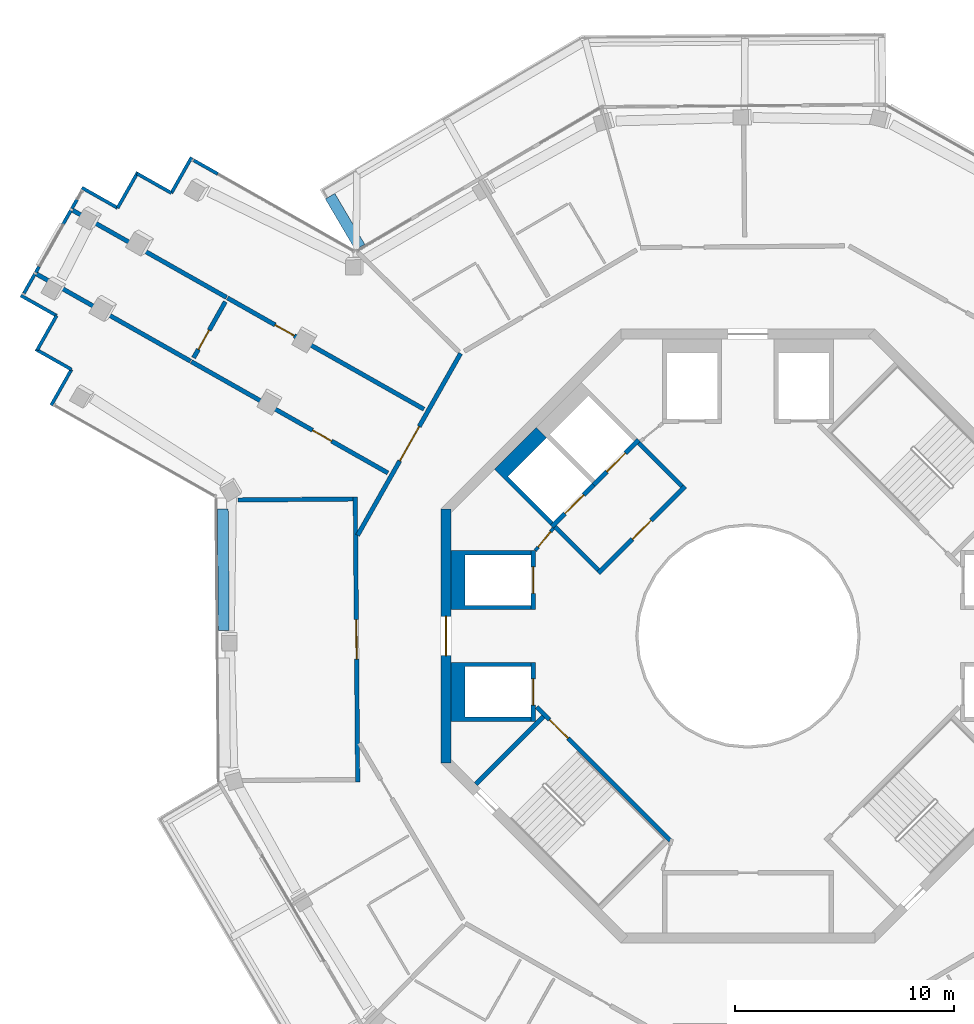
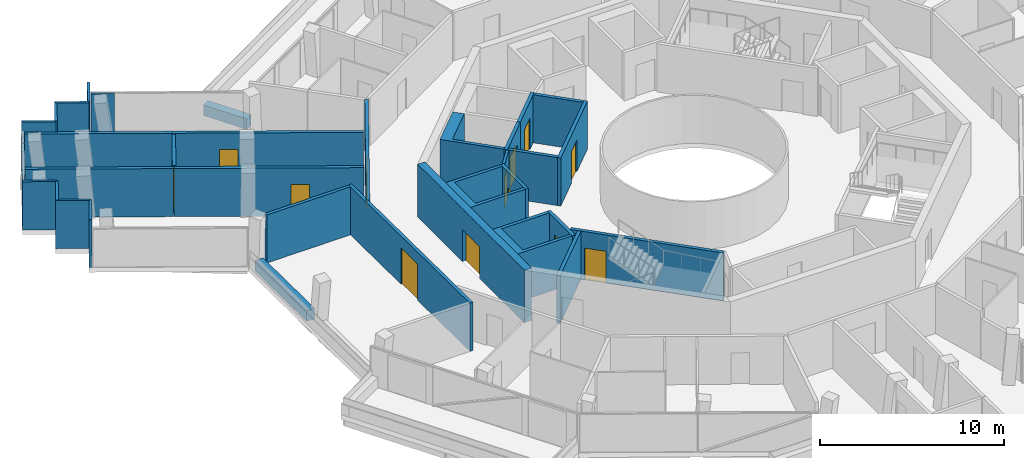
# One storey, part 20 of 26: 37 walls, 13 doors, 13 openings.
"""IFC4 building model written with IfcOpenShell, lengths in metres."""

from ifc_helpers import new_model, si_unit, direction, frame, frame_2d, origin, place, context, subcontext, project, spatial, polyline, rectangle, outline, extrude, material, layer, layer_set, type_object, element, fill, save


model = new_model("IFC4")

# Units and contexts
model_context = context("Model", 3, precision=1e-05, world=origin(), true_north=direction((0.0, 1.0)))
body_context = subcontext(model_context, "Body", "Model", "MODEL_VIEW")
ifc_project = project(units=[si_unit("LENGTHUNIT", "METRE"), si_unit("AREAUNIT", "SQUARE_METRE"), si_unit("VOLUMEUNIT", "CUBIC_METRE"), si_unit("PLANEANGLEUNIT", "RADIAN"), si_unit("MASSUNIT", "GRAM", prefix="KILO")], contexts=[model_context])

# Site, building, storey
site_placement = place(None, origin())
site = spatial("IfcSite", under=ifc_project, at=site_placement, CompositionType="ELEMENT")
building_placement = place(site_placement, origin())
building = spatial("IfcBuilding", under=site, at=building_placement, Name="Verdalira Terraces Hotel", CompositionType="ELEMENT")
storey_placement = place(building_placement, frame((0.0, 0.0, 281.0)))
storey = spatial("IfcBuildingStorey", under=building, at=storey_placement, Name="L69", CompositionType="ELEMENT", Elevation=281.0)

# Walls
ifc_material_1 = material(Name="Concrete C40", Category="concrete")
ifc_layer_1 = layer(ifc_material_1, 0.5)
ifc_layer_set_1 = layer_set([ifc_layer_1], Name="Balcony planter trough with tree")
wall_type_1 = type_object("IfcWallType", Name="Balcony planter trough with tree", PredefinedType="SOLIDWALL", material=ifc_layer_set_1)
wall_1_placement = place(storey_placement, frame((-19.060547, 20.062744, 0.0), z_axis=(0.0, 0.0, 1.0), x_axis=(0.507174285, -0.861843515, 0.0)))
element("IfcWall", 1, at=wall_1_placement, inside=storey, type_object=wall_type_1, Name="Balcony planter", PredefinedType="SOLIDWALL", context=body_context, shape_type="SweptSolid", body=[
    extrude(rectangle(XDim=2.698975, YDim=0.5, at=frame_2d((1.349609, 0.0))), origin(), (0.0, 0.0, 1.0), 0.699951),
])
ifc_material_2 = material(Name="Concrete C50", Category="concrete")
ifc_layer_2 = layer(ifc_material_2, 0.199951171875)
ifc_layer_set_2 = layer_set([ifc_layer_2], Name="Core RC wall 200 C50")
wall_type_2 = type_object("IfcWallType", Name="Core RC wall 200 C50", PredefinedType="SOLIDWALL", material=ifc_layer_set_2)
wall_2_placement = place(storey_placement, origin())
element("IfcWall", 2, at=wall_2_placement, inside=storey, type_object=wall_type_2, Name="L69 shaft wall W1", PredefinedType="SOLIDWALL", context=body_context, shape_type="SweptSolid", body=[
    extrude(outline(polyline([(-13.550049, 3.899902), (-9.899902, 3.899902), (-9.899902, 3.699951), (-12.899902, 3.699951), (-12.899902, 1.399902), (-9.899902, 1.399902), (-9.899902, 1.199951), (-13.550049, 1.199951), (-13.550049, 3.899902)])), origin(), (0.0, 0.0, 1.0), 3.189941),
])

# Wall, opening, door
wall_3_placement = place(storey_placement, frame((-9.800049, 1.199951, 0.0), z_axis=(0.0, 0.0, 1.0), x_axis=(0.0, 1.0, 0.0)))
wall_3 = element("IfcWall", 3, at=wall_3_placement, inside=storey, type_object=wall_type_2, Name="L69 shaft front wall W1", PredefinedType="SOLIDWALL", context=body_context, shape_type="SweptSolid", body=[
    extrude(rectangle(XDim=2.699951, YDim=0.199951, at=frame_2d((1.350098, 0.0))), origin(), (0.0, 0.0, 1.0), 3.189941),
])
opening_1_placement = place(wall_3_placement, frame((0.75, 0.0, 0.0)))
opening_1 = element("IfcOpeningElement", 4, at=opening_1_placement, cuts=wall_3, Name="Opening LD-L69-806", PredefinedType="OPENING", context=body_context, shape_type="SweptSolid", body=[
    extrude(rectangle(XDim=1.199951, YDim=2.100098, at=frame_2d((0.600098, 1.050049))), frame((0.0, 0.109863, 0.0), z_axis=(0.0, -1.0, 0.0), x_axis=(1.0, 0.0, 0.0)), (0.0, 0.0, 1.0), 0.219971),
])
ifc_material_3 = material(Name="Stainless steel", Category="steel")
door_type_1 = type_object("IfcDoorType", Name="Landing door 1200 x 2100", OperationType="NOTDEFINED", PredefinedType="DOOR", material=ifc_material_3)
door_1_placement = place(opening_1_placement, origin())
door_1 = element("IfcDoor", 5, at=door_1_placement, inside=storey, type_object=door_type_1, Name="Lift landing door HR5 L69", OperationType="DOUBLE_DOOR_SLIDING", OverallHeight=2.10009765625, OverallWidth=1.199951171875, PredefinedType="DOOR", context=body_context, shape_type="SweptSolid", body=[
    extrude(rectangle(XDim=1.199951, YDim=2.100098, at=frame_2d((0.600098, 1.050049))), frame((0.0, 0.024902, 0.0), z_axis=(0.0, -1.0, 0.0), x_axis=(1.0, 0.0, 0.0)), (0.0, 0.0, 1.0), 0.050049),
])
fill(opening_1, door_1)

# Wall
wall_4_placement = place(storey_placement, origin())
element("IfcWall", 6, at=wall_4_placement, inside=storey, type_object=wall_type_2, Name="L69 shaft wall W2", PredefinedType="SOLIDWALL", context=body_context, shape_type="SweptSolid", body=[
    extrude(outline(polyline([(-13.550049, -3.899902), (-13.550049, -1.199951), (-9.899902, -1.199951), (-9.899902, -1.399902), (-12.899902, -1.399902), (-12.899902, -3.699951), (-9.899902, -3.699951), (-9.899902, -3.899902), (-13.550049, -3.899902)])), origin(), (0.0, 0.0, 1.0), 3.189941),
])

# Wall, opening, door
wall_5_placement = place(storey_placement, frame((-9.800049, -1.199951, 0.0), z_axis=(0.0, 0.0, 1.0), x_axis=(0.0, -1.0, 0.0)))
wall_5 = element("IfcWall", 7, at=wall_5_placement, inside=storey, type_object=wall_type_2, Name="L69 shaft front wall W2", PredefinedType="SOLIDWALL", context=body_context, shape_type="SweptSolid", body=[
    extrude(rectangle(XDim=2.699951, YDim=0.199951, at=frame_2d((1.350098, 0.0))), origin(), (0.0, 0.0, 1.0), 3.189941),
])
opening_2_placement = place(wall_5_placement, frame((0.75, 0.0, 0.0)))
opening_2 = element("IfcOpeningElement", 8, at=opening_2_placement, cuts=wall_5, Name="Opening LD-L69-807", PredefinedType="OPENING", context=body_context, shape_type="SweptSolid", body=[
    extrude(rectangle(XDim=1.199951, YDim=2.100098, at=frame_2d((0.600098, 1.050049))), frame((0.0, 0.109863, 0.0), z_axis=(0.0, -1.0, 0.0), x_axis=(1.0, 0.0, 0.0)), (0.0, 0.0, 1.0), 0.219971),
])
door_2_placement = place(opening_2_placement, origin())
door_2 = element("IfcDoor", 9, at=door_2_placement, inside=storey, type_object=door_type_1, Name="Lift landing door HR6 L69", OperationType="DOUBLE_DOOR_SLIDING", OverallHeight=2.10009765625, OverallWidth=1.199951171875, PredefinedType="DOOR", context=body_context, shape_type="SweptSolid", body=[
    extrude(rectangle(XDim=1.199951, YDim=2.100098, at=frame_2d((0.600098, 1.050049))), frame((0.0, 0.024902, 0.0), z_axis=(0.0, -1.0, 0.0), x_axis=(1.0, 0.0, 0.0)), (0.0, 0.0, 1.0), 0.050049),
])
fill(opening_2, door_2)

wall_6_placement = place(storey_placement, frame((-4.985107, 8.944824, 0.0), z_axis=(0.0, 0.0, 1.0), x_axis=(-0.707106781, -0.707106781, 0.0)))
wall_6 = element("IfcWall", 10, at=wall_6_placement, inside=storey, type_object=wall_type_2, Name="L69 shaft front wall F1", PredefinedType="SOLIDWALL", context=body_context, shape_type="SweptSolid", body=[
    extrude(rectangle(XDim=2.899902, YDim=0.199951, at=frame_2d((1.449951, 0.0))), origin(), (0.0, 0.0, 1.0), 3.189941),
])
opening_3_placement = place(wall_6_placement, frame((0.850098, 0.0, 0.0)))
opening_3 = element("IfcOpeningElement", 11, at=opening_3_placement, cuts=wall_6, Name="Opening LD-L69-808", PredefinedType="OPENING", context=body_context, shape_type="SweptSolid", body=[
    extrude(rectangle(XDim=1.199951, YDim=2.100098, at=frame_2d((0.600098, 1.050049))), frame((0.0, 0.109863, 0.0), z_axis=(0.0, -1.0, 0.0), x_axis=(1.0, 0.0, 0.0)), (0.0, 0.0, 1.0), 0.219971),
])
door_3_placement = place(opening_3_placement, origin())
door_3 = element("IfcDoor", 12, at=door_3_placement, inside=storey, type_object=door_type_1, Name="Lift landing door LF11 L69", OperationType="DOUBLE_DOOR_SLIDING", OverallHeight=2.10009765625, OverallWidth=1.199951171875, PredefinedType="DOOR", context=body_context, shape_type="SweptSolid", body=[
    extrude(rectangle(XDim=1.199951, YDim=2.100098, at=frame_2d((0.600098, 1.050049))), frame((0.0, 0.024902, 0.0), z_axis=(0.0, -1.0, 0.0), x_axis=(1.0, 0.0, 0.0)), (0.0, 0.0, 1.0), 0.050049),
])
fill(opening_3, door_3)

# Wall
wall_7_placement = place(storey_placement, origin())
element("IfcWall", 13, at=wall_7_placement, inside=storey, type_object=wall_type_2, Name="L69 shaft wall F2", PredefinedType="SOLIDWALL", context=body_context, shape_type="SweptSolid", body=[
    extrude(outline(polyline([(-11.561279, 7.601318), (-9.6521, 9.510498), (-9.192383, 9.051025), (-10.960205, 7.283203), (-8.874268, 5.197266), (-9.015625, 5.055908), (-11.561279, 7.601318)])), origin(), (0.0, 0.0, 1.0), 3.189941),
])

# Wall, opening, door
wall_8_placement = place(storey_placement, frame((-7.035645, 6.894287, 0.0), z_axis=(0.0, 0.0, 1.0), x_axis=(-0.707106781, -0.707106781, 0.0)))
wall_8 = element("IfcWall", 14, at=wall_8_placement, inside=storey, type_object=wall_type_2, Name="L69 shaft front wall F2", PredefinedType="SOLIDWALL", context=body_context, shape_type="SweptSolid", body=[
    extrude(rectangle(XDim=2.699951, YDim=0.199951, at=frame_2d((1.350098, 0.0))), origin(), (0.0, 0.0, 1.0), 3.189941),
])
opening_4_placement = place(wall_8_placement, frame((0.649902, 0.0, 0.0)))
opening_4 = element("IfcOpeningElement", 15, at=opening_4_placement, cuts=wall_8, Name="Opening LD-L69-809", PredefinedType="OPENING", context=body_context, shape_type="SweptSolid", body=[
    extrude(rectangle(XDim=1.199951, YDim=2.100098, at=frame_2d((0.600098, 1.050049))), frame((0.0, 0.109863, 0.0), z_axis=(0.0, -1.0, 0.0), x_axis=(1.0, 0.0, 0.0)), (0.0, 0.0, 1.0), 0.219971),
])
door_4_placement = place(opening_4_placement, origin())
door_4 = element("IfcDoor", 16, at=door_4_placement, inside=storey, type_object=door_type_1, Name="Lift landing door LF12 L69", OperationType="DOUBLE_DOOR_SLIDING", OverallHeight=2.10009765625, OverallWidth=1.199951171875, PredefinedType="DOOR", context=body_context, shape_type="SweptSolid", body=[
    extrude(rectangle(XDim=1.199951, YDim=2.100098, at=frame_2d((0.600098, 1.050049))), frame((0.0, 0.024902, 0.0), z_axis=(0.0, -1.0, 0.0), x_axis=(1.0, 0.0, 0.0)), (0.0, 0.0, 1.0), 0.050049),
])
fill(opening_4, door_4)

wall_9_placement = place(storey_placement, frame((-3.5354, -9.33374, 0.0), z_axis=(0.0, 0.0, 1.0), x_axis=(-0.707120946, 0.707092617, 0.0)))
wall_9 = element("IfcWall", 17, at=wall_9_placement, inside=storey, type_object=wall_type_2, Name="L69 stair ST2 front wall", PredefinedType="SOLIDWALL", context=body_context, shape_type="SweptSolid", body=[
    extrude(rectangle(XDim=8.61792, YDim=0.199951, at=frame_2d((4.309082, 0.0))), origin(), (0.0, 0.0, 1.0), 3.189941),
])
opening_5_placement = place(wall_9_placement, frame((6.600098, 0.0, 0.0)))
opening_5 = element("IfcOpeningElement", 18, at=opening_5_placement, cuts=wall_9, Name="Opening L69-811", PredefinedType="OPENING", context=body_context, shape_type="SweptSolid", body=[
    extrude(rectangle(XDim=1.199951, YDim=2.100098, at=frame_2d((0.600098, 1.050049))), frame((0.0, 0.109863, 0.0), z_axis=(0.0, -1.0, 0.0), x_axis=(1.0, 0.0, 0.0)), (0.0, 0.0, 1.0), 0.219971),
])
ifc_material_4 = material(Name="Steel fire door", Category="steel")
door_type_2 = type_object("IfcDoorType", Name="Stair door 1200 x 2100", OperationType="NOTDEFINED", PredefinedType="DOOR", material=ifc_material_4)
door_5_placement = place(opening_5_placement, origin())
door_5 = element("IfcDoor", 19, at=door_5_placement, inside=storey, type_object=door_type_2, Name="Stair door ST2 L69", OperationType="SINGLE_SWING_RIGHT", OverallHeight=2.10009765625, OverallWidth=1.199951171875, PredefinedType="DOOR", context=body_context, shape_type="SweptSolid", body=[
    extrude(rectangle(XDim=1.199951, YDim=2.100098, at=frame_2d((0.600098, 1.050049))), frame((0.0, 0.024902, 0.0), z_axis=(0.0, -1.0, 0.0), x_axis=(1.0, 0.0, 0.0)), (0.0, 0.0, 1.0), 0.050049),
])
fill(opening_5, door_5)

# Wall
wall_10_placement = place(storey_placement, frame((-9.33374, -3.677002, 0.0), z_axis=(0.0, 0.0, 1.0), x_axis=(-0.707106781, -0.707106781, 0.0)))
element("IfcWall", 20, at=wall_10_placement, inside=storey, type_object=wall_type_2, Name="L69 stair ST2 end wall 1", PredefinedType="SOLIDWALL", context=body_context, shape_type="SweptSolid", body=[
    extrude(rectangle(XDim=4.350098, YDim=0.199951, at=frame_2d((2.175049, 0.0))), origin(), (0.0, 0.0, 1.0), 3.189941),
])

# Wall, opening, door
wall_11_placement = place(storey_placement, frame((-2.86377, 6.823486, 0.0), z_axis=(0.0, 0.0, 1.0), x_axis=(-0.707106781, -0.707106781, 0.0)))
wall_11 = element("IfcWall", 21, at=wall_11_placement, inside=storey, type_object=wall_type_2, Name="L69 fire lobby wall", PredefinedType="SOLIDWALL", context=body_context, shape_type="SweptSolid", body=[
    extrude(rectangle(XDim=5.599854, YDim=0.199951, at=frame_2d((2.799805, 0.0))), origin(), (0.0, 0.0, 1.0), 3.189941),
])
opening_6_placement = place(wall_11_placement, frame((2.199951, 0.0, 0.0)))
opening_6 = element("IfcOpeningElement", 22, at=opening_6_placement, cuts=wall_11, Name="Opening L69-819", PredefinedType="OPENING", context=body_context, shape_type="SweptSolid", body=[
    extrude(rectangle(XDim=1.199951, YDim=2.100098, at=frame_2d((0.600098, 1.050049))), frame((0.0, 0.109863, 0.0), z_axis=(0.0, -1.0, 0.0), x_axis=(1.0, 0.0, 0.0)), (0.0, 0.0, 1.0), 0.219971),
])
ifc_material_5 = material(Name="Steel fire door", Category="steel")
door_type_3 = type_object("IfcDoorType", Name="Lobby door 1200 x 2100", OperationType="NOTDEFINED", PredefinedType="DOOR", material=ifc_material_5)
door_6_placement = place(opening_6_placement, origin())
door_6 = element("IfcDoor", 23, at=door_6_placement, inside=storey, type_object=door_type_3, Name="Fire lobby door L69", OperationType="SINGLE_SWING_LEFT", OverallHeight=2.10009765625, OverallWidth=1.199951171875, PredefinedType="DOOR", context=body_context, shape_type="SweptSolid", body=[
    extrude(rectangle(XDim=1.199951, YDim=2.100098, at=frame_2d((0.600098, 1.050049))), frame((0.0, 0.024902, 0.0), z_axis=(0.0, -1.0, 0.0), x_axis=(1.0, 0.0, 0.0)), (0.0, 0.0, 1.0), 0.050049),
])
fill(opening_6, door_6)

# Walls
for number, where, z_axis, x_axis, name in (
    (24, (-3.005127, 6.823486, 0.0), (0.0, 0.0, 1.0), (-0.707106781, 0.707106781, 0.0), "L69 fire lobby wall"),
    (25, (-6.823486, 3.005127, 0.0), (0.0, 0.0, 1.0), (-0.707106781, 0.707106781, 0.0), "L69 fire lobby wall"),
):
    element("IfcWall", number, at=place(storey_placement, frame(where, z_axis=z_axis, x_axis=x_axis)), inside=storey, type_object=wall_type_2, Name=name, PredefinedType="SOLIDWALL", context=body_context, shape_type="SweptSolid", body=[
        extrude(rectangle(XDim=2.800049, YDim=0.199951, at=frame_2d((1.399902, 0.0))), origin(), (0.0, 0.0, 1.0), 3.189941),
    ])

# Wall, opening, door
ifc_material_6 = material(Name="Gypsum board partition")
ifc_layer_3 = layer(ifc_material_6, 0.14990234375)
ifc_layer_set_3 = layer_set([ifc_layer_3], Name="Core partition 150 mm")
wall_type_3 = type_object("IfcWallType", Name="Core partition 150 mm", PredefinedType="PARTITIONING", material=ifc_layer_set_3)
wall_12_placement = place(storey_placement, frame((-8.874268, 4.914307, 0.0), z_axis=(0.0, 0.0, 1.0), x_axis=(-0.631274009, -0.775559878, 0.0)))
wall_12 = element("IfcWall", 26, at=wall_12_placement, inside=storey, type_object=wall_type_3, Name="Room partition L69", PredefinedType="PARTITIONING", context=body_context, shape_type="SweptSolid", body=[
    extrude(rectangle(XDim=1.307861, YDim=0.149902, at=frame_2d((0.653809, 0.0))), origin(), (0.0, 0.0, 1.0), 3.189941),
])
opening_7_placement = place(wall_12_placement, frame((0.204102, 0.0, 0.0)))
opening_7 = element("IfcOpeningElement", 27, at=opening_7_placement, cuts=wall_12, Name="Opening L69-821", PredefinedType="OPENING", context=body_context, shape_type="SweptSolid", body=[
    extrude(rectangle(XDim=0.899902, YDim=2.100098, at=frame_2d((0.449951, 1.050049))), frame((0.0, 0.084961, 0.0), z_axis=(0.0, -1.0, 0.0), x_axis=(1.0, 0.0, 0.0)), (0.0, 0.0, 1.0), 0.169922),
])
ifc_material_7 = material(Name="Steel fire door", Category="steel")
door_type_4 = type_object("IfcDoorType", Name="Core room door 900 x 2100", OperationType="NOTDEFINED", PredefinedType="DOOR", material=ifc_material_7)
door_7_placement = place(opening_7_placement, origin())
door_7 = element("IfcDoor", 28, at=door_7_placement, inside=storey, type_object=door_type_4, Name="Door L69 room3", OperationType="SINGLE_SWING_LEFT", OverallHeight=2.10009765625, OverallWidth=0.89990234375, PredefinedType="DOOR", context=body_context, shape_type="SweptSolid", body=[
    extrude(rectangle(XDim=0.899902, YDim=2.100098, at=frame_2d((0.449951, 1.050049))), frame((0.0, 0.024902, 0.0), z_axis=(0.0, -1.0, 0.0), x_axis=(1.0, 0.0, 0.0)), (0.0, 0.0, 1.0), 0.050049),
])
fill(opening_7, door_7)

ifc_material_8 = material(Name="Concrete C50", Category="concrete")
ifc_layer_4 = layer(ifc_material_8, 0.449951171875)
ifc_layer_set_4 = layer_set([ifc_layer_4], Name="Core wall 450 C50")
wall_type_4 = type_object("IfcWallType", Name="Core wall 450 C50", PredefinedType="SHEAR", material=ifc_layer_set_4)
wall_13_placement = place(storey_placement, frame((-13.774902, 5.799072, 0.0), z_axis=(0.0, 0.0, 1.0), x_axis=(0.0, -1.0, 0.0)))
wall_13 = element("IfcWall", 29, at=wall_13_placement, inside=storey, type_object=wall_type_4, Name="Core wall CW-L69-5", PredefinedType="SHEAR", context=body_context, shape_type="SweptSolid", body=[
    extrude(rectangle(XDim=11.598145, YDim=0.449951, at=frame_2d((5.799072, 0.0))), origin(), (0.0, 0.0, 1.0), 3.5),
])
opening_8_placement = place(wall_13_placement, frame((4.898926, 0.0, 0.0)))
opening_8 = element("IfcOpeningElement", 30, at=opening_8_placement, cuts=wall_13, Name="Opening L69-815", PredefinedType="OPENING", context=body_context, shape_type="SweptSolid", body=[
    extrude(rectangle(XDim=1.800049, YDim=2.100098, at=frame_2d((0.899902, 1.050049))), frame((0.0, 0.234863, 0.0), z_axis=(0.0, -1.0, 0.0), x_axis=(1.0, 0.0, 0.0)), (0.0, 0.0, 1.0), 0.469971),
])
ifc_material_9 = material(Name="Steel fire door", Category="steel")
door_type_5 = type_object("IfcDoorType", Name="Core entry door pair 1800 x 2100", OperationType="NOTDEFINED", PredefinedType="DOOR", material=ifc_material_9)
door_8_placement = place(opening_8_placement, origin())
door_8 = element("IfcDoor", 31, at=door_8_placement, inside=storey, type_object=door_type_5, Name="Core entry door L69 4", OperationType="DOUBLE_DOOR_SINGLE_SWING", OverallHeight=2.10009765625, OverallWidth=1.800048828125, PredefinedType="DOOR", context=body_context, shape_type="SweptSolid", body=[
    extrude(rectangle(XDim=1.800049, YDim=2.100098, at=frame_2d((0.899902, 1.050049))), frame((0.0, 0.024902, 0.0), z_axis=(0.0, -1.0, 0.0), x_axis=(1.0, 0.0, 0.0)), (0.0, 0.0, 1.0), 0.050049),
])
fill(opening_8, door_8)

# Walls
ifc_material_10 = material(Name="Fire-rated gypsum board wall")
ifc_layer_5 = layer(ifc_material_10, 0.199951171875)
ifc_layer_set_5 = layer_set([ifc_layer_5], Name="Demising wall 200 mm")
wall_type_5 = type_object("IfcWallType", Name="Demising wall 200 mm", PredefinedType="SOLIDWALL", material=ifc_layer_set_5)
wall_14_placement = place(storey_placement, frame((-32.445312, 16.510498, 0.0), z_axis=(0.0, 0.0, 1.0), x_axis=(0.87018753, -0.492720674, 0.0)))
element("IfcWall", 32, at=wall_14_placement, inside=storey, type_object=wall_type_5, Name="Demising wall", PredefinedType="SOLIDWALL", context=body_context, shape_type="SweptSolid", body=[
    extrude(rectangle(XDim=8.062256, YDim=0.199951, at=frame_2d((4.03125, 0.0))), origin(), (0.0, 0.0, 1.0), 3.189941),
])
wall_15_placement = place(storey_placement, frame((-23.783447, 15.445557, 0.0), z_axis=(0.0, 0.0, 1.0), x_axis=(-0.870180178, 0.492733658, 0.0)))
element("IfcWall", 33, at=wall_15_placement, inside=storey, type_object=wall_type_5, Name="Demising wall", PredefinedType="SOLIDWALL", context=body_context, shape_type="SweptSolid", body=[
    extrude(rectangle(XDim=8.062012, YDim=0.199951, at=frame_2d((4.031006, 0.0))), origin(), (0.0, 0.0, 1.0), 3.189941),
])

# Wall, opening, door
wall_16_placement = place(storey_placement, frame((-25.289307, 12.688477, 0.0), z_axis=(0.0, 0.0, 1.0), x_axis=(0.49273818, 0.870177618, 0.0)))
wall_16 = element("IfcWall", 34, at=wall_16_placement, inside=storey, type_object=wall_type_5, Name="Demising wall", PredefinedType="SOLIDWALL", context=body_context, shape_type="SweptSolid", body=[
    extrude(rectangle(XDim=2.941162, YDim=0.199951, at=frame_2d((1.470703, 0.0))), origin(), (0.0, 0.0, 1.0), 3.189941),
])
opening_9_placement = place(wall_16_placement, frame((0.449951, 0.0, 0.0)))
opening_9 = element("IfcOpeningElement", 35, at=opening_9_placement, cuts=wall_16, Name="Opening L69-104", PredefinedType="OPENING", context=body_context, shape_type="SweptSolid", body=[
    extrude(rectangle(XDim=1.0, YDim=2.100098, at=frame_2d((0.5, 1.050049))), frame((0.0, 0.109863, 0.0), z_axis=(0.0, -1.0, 0.0), x_axis=(1.0, 0.0, 0.0)), (0.0, 0.0, 1.0), 0.219971),
])
ifc_material_11 = material(Name="Timber fire door", Category="wood")
door_type_6 = type_object("IfcDoorType", Name="Public room door 1000 x 2100", OperationType="NOTDEFINED", PredefinedType="DOOR", material=ifc_material_11)
door_9_placement = place(opening_9_placement, origin())
door_9 = element("IfcDoor", 36, at=door_9_placement, inside=storey, type_object=door_type_6, Name="Public room door 6901", OperationType="SINGLE_SWING_LEFT", OverallHeight=2.10009765625, OverallWidth=1.0, PredefinedType="DOOR", context=body_context, shape_type="SweptSolid", body=[
    extrude(rectangle(XDim=1.0, YDim=2.100098, at=frame_2d((0.5, 1.050049))), frame((0.0, 0.024902, 0.0), z_axis=(0.0, -1.0, 0.0), x_axis=(1.0, 0.0, 0.0)), (0.0, 0.0, 1.0), 0.050049),
])
fill(opening_9, door_9)

wall_17_placement = place(storey_placement, frame((-16.425049, 7.439209, 0.0), z_axis=(0.0, 0.0, 1.0), x_axis=(-0.870179021, 0.492735701, 0.0)))
wall_17 = element("IfcWall", 37, at=wall_17_placement, inside=storey, type_object=wall_type_5, Name="Demising wall", PredefinedType="SOLIDWALL", context=body_context, shape_type="SweptSolid", body=[
    extrude(rectangle(XDim=10.302002, YDim=0.199951, at=frame_2d((5.150879, 0.0))), origin(), (0.0, 0.0, 1.0), 3.189941),
])
opening_10_placement = place(wall_17_placement, frame((2.949951, 0.0, 0.0)))
opening_10 = element("IfcOpeningElement", 38, at=opening_10_placement, cuts=wall_17, Name="Opening L69-103", PredefinedType="OPENING", context=body_context, shape_type="SweptSolid", body=[
    extrude(rectangle(XDim=1.0, YDim=2.100098, at=frame_2d((0.5, 1.050049))), frame((0.0, 0.109863, 0.0), z_axis=(0.0, -1.0, 0.0), x_axis=(1.0, 0.0, 0.0)), (0.0, 0.0, 1.0), 0.219971),
])
door_10_placement = place(opening_10_placement, origin())
door_10 = element("IfcDoor", 39, at=door_10_placement, inside=storey, type_object=door_type_6, Name="Public room door 6901", OperationType="SINGLE_SWING_LEFT", OverallHeight=2.10009765625, OverallWidth=1.0, PredefinedType="DOOR", context=body_context, shape_type="SweptSolid", body=[
    extrude(rectangle(XDim=1.0, YDim=2.100098, at=frame_2d((0.5, 1.050049))), frame((0.0, 0.024902, 0.0), z_axis=(0.0, -1.0, 0.0), x_axis=(1.0, 0.0, 0.0)), (0.0, 0.0, 1.0), 0.050049),
])
fill(opening_10, door_10)

wall_18_placement = place(storey_placement, frame((-23.743408, 15.422852, 0.0), z_axis=(0.0, 0.0, 1.0), x_axis=(0.870179021, -0.492735701, 0.0)))
wall_18 = element("IfcWall", 40, at=wall_18_placement, inside=storey, type_object=wall_type_5, Name="Demising wall", PredefinedType="SOLIDWALL", context=body_context, shape_type="SweptSolid", body=[
    extrude(rectangle(XDim=10.302002, YDim=0.199951, at=frame_2d((5.150879, 0.0))), origin(), (0.0, 0.0, 1.0), 3.189941),
])
opening_11_placement = place(wall_18_placement, frame((2.5, 0.0, 0.0)))
opening_11 = element("IfcOpeningElement", 41, at=opening_11_placement, cuts=wall_18, Name="Opening L69-102", PredefinedType="OPENING", context=body_context, shape_type="SweptSolid", body=[
    extrude(rectangle(XDim=1.0, YDim=2.100098, at=frame_2d((0.5, 1.050049))), frame((0.0, 0.109863, 0.0), z_axis=(0.0, -1.0, 0.0), x_axis=(1.0, 0.0, 0.0)), (0.0, 0.0, 1.0), 0.219971),
])
door_11_placement = place(opening_11_placement, origin())
door_11 = element("IfcDoor", 42, at=door_11_placement, inside=storey, type_object=door_type_6, Name="Public room door 6901", OperationType="SINGLE_SWING_LEFT", OverallHeight=2.10009765625, OverallWidth=1.0, PredefinedType="DOOR", context=body_context, shape_type="SweptSolid", body=[
    extrude(rectangle(XDim=1.0, YDim=2.100098, at=frame_2d((0.5, 1.050049))), frame((0.0, 0.024902, 0.0), z_axis=(0.0, -1.0, 0.0), x_axis=(1.0, 0.0, 0.0)), (0.0, 0.0, 1.0), 0.050049),
])
fill(opening_11, door_11)

ifc_material_12 = material(Name="Fire-rated gypsum board wall")
ifc_layer_6 = layer(ifc_material_12, 0.199951171875)
ifc_layer_set_6 = layer_set([ifc_layer_6], Name="Guest corridor wall 200 mm")
wall_type_6 = type_object("IfcWallType", Name="Guest corridor wall 200 mm", PredefinedType="SOLIDWALL", material=ifc_layer_set_6)
wall_19_placement = place(storey_placement, frame((-17.807373, 4.592041, 0.0), z_axis=(0.0, 0.0, 1.0), x_axis=(0.492730275, 0.870182094, 0.0)))
wall_19 = element("IfcWall", 43, at=wall_19_placement, inside=storey, type_object=wall_type_6, Name="Guest corridor wall", PredefinedType="SOLIDWALL", context=body_context, shape_type="SweptSolid", body=[
    extrude(rectangle(XDim=9.536621, YDim=0.199951, at=frame_2d((4.768311, 0.0))), origin(), (0.0, 0.0, 1.0), 3.189941),
])
opening_12_placement = place(wall_19_placement, frame((3.908936, 0.0, 0.0)))
opening_12 = element("IfcOpeningElement", 44, at=opening_12_placement, cuts=wall_19, Name="Opening L69-101", PredefinedType="OPENING", context=body_context, shape_type="SweptSolid", body=[
    extrude(rectangle(XDim=1.800049, YDim=2.100098, at=frame_2d((0.899902, 1.050049))), frame((0.0, 0.109863, 0.0), z_axis=(0.0, -1.0, 0.0), x_axis=(1.0, 0.0, 0.0)), (0.0, 0.0, 1.0), 0.219971),
])
ifc_material_13 = material(Name="Timber fire door", Category="wood")
door_type_7 = type_object("IfcDoorType", Name="Public room double door 1800 x 2100", OperationType="NOTDEFINED", PredefinedType="DOOR", material=ifc_material_13)
door_12_placement = place(opening_12_placement, origin())
door_12 = element("IfcDoor", 45, at=door_12_placement, inside=storey, type_object=door_type_7, Name="Public room double door 6901", OperationType="DOUBLE_DOOR_SINGLE_SWING", OverallHeight=2.10009765625, OverallWidth=1.800048828125, PredefinedType="DOOR", context=body_context, shape_type="SweptSolid", body=[
    extrude(rectangle(XDim=1.800049, YDim=2.100098, at=frame_2d((0.899902, 1.050049))), frame((0.0, 0.024902, 0.0), z_axis=(0.0, -1.0, 0.0), x_axis=(1.0, 0.0, 0.0)), (0.0, 0.0, 1.0), 0.050049),
])
fill(opening_12, door_12)

ifc_material_14 = material(Name="Terracotta cladding", Category="masonry")
ifc_layer_7 = layer(ifc_material_14, 0.199951171875)
ifc_layer_set_7 = layer_set([ifc_layer_7], Name="Loggia back wall 200")
wall_type_7 = type_object("IfcWallType", Name="Loggia back wall 200", PredefinedType="SOLIDWALL", material=ifc_layer_set_7)
wall_20_placement = place(storey_placement, frame((-17.803223, -6.649414, 0.0), z_axis=(0.0, 0.0, 1.0), x_axis=(-0.008375922, 0.999964921, 0.0)))
wall_20 = element("IfcWall", 46, at=wall_20_placement, inside=storey, type_object=wall_type_7, Name="Loggia back wall", PredefinedType="SOLIDWALL", context=body_context, shape_type="SweptSolid", body=[
    extrude(rectangle(XDim=13.0, YDim=0.199951, at=frame_2d((6.5, 0.0))), origin(), (0.0, 0.0, 1.0), 3.189941),
])
opening_13_placement = place(wall_20_placement, frame((5.600098, 0.0, 0.0)))
opening_13 = element("IfcOpeningElement", 47, at=opening_13_placement, cuts=wall_20, Name="Opening L69-L01", PredefinedType="OPENING", context=body_context, shape_type="SweptSolid", body=[
    extrude(rectangle(XDim=1.800049, YDim=2.399902, at=frame_2d((0.899902, 1.199951))), frame((0.0, 0.109863, 0.0), z_axis=(0.0, -1.0, 0.0), x_axis=(1.0, 0.0, 0.0)), (0.0, 0.0, 1.0), 0.219971),
])
ifc_material_15 = material(Name="Clear glass", Category="glass")
door_type_8 = type_object("IfcDoorType", Name="Garden double door 1800x2400", OperationType="NOTDEFINED", PredefinedType="DOOR", material=ifc_material_15)
door_13_placement = place(opening_13_placement, origin())
door_13 = element("IfcDoor", 48, at=door_13_placement, inside=storey, type_object=door_type_8, Name="Loggia double door", OperationType="DOUBLE_DOOR_SINGLE_SWING", OverallHeight=2.39990234375, OverallWidth=1.800048828125, PredefinedType="DOOR", context=body_context, shape_type="SweptSolid", body=[
    extrude(rectangle(XDim=1.800049, YDim=2.399902, at=frame_2d((0.899902, 1.199951))), frame((0.0, 0.024902, 0.0), z_axis=(0.0, -1.0, 0.0), x_axis=(1.0, 0.0, 0.0)), (0.0, 0.0, 1.0), 0.050049),
])
fill(opening_13, door_13)

# Walls
wall_21_placement = place(storey_placement, frame((-23.263428, 6.205322, 0.0), z_axis=(0.0, 0.0, 1.0), x_axis=(0.999964998, 0.008366741, 0.0)))
element("IfcWall", 49, at=wall_21_placement, inside=storey, type_object=wall_type_7, Name="Loggia side wall", PredefinedType="SOLIDWALL", context=body_context, shape_type="SweptSolid", body=[
    extrude(rectangle(XDim=5.252441, YDim=0.199951, at=frame_2d((2.626221, 0.0))), origin(), (0.0, 0.0, 1.0), 3.189941),
])
ifc_material_16 = material(Name="Concrete C40", Category="concrete")
ifc_layer_8 = layer(ifc_material_16, 0.5)
ifc_layer_set_8 = layer_set([ifc_layer_8], Name="Loggia planter trough with tree")
wall_type_8 = type_object("IfcWallType", Name="Loggia planter trough with tree", PredefinedType="SOLIDWALL", material=ifc_layer_set_8)
wall_22_placement = place(storey_placement, frame((-23.957764, 5.788574, 0.0), z_axis=(0.0, 0.0, 1.0), x_axis=(0.008374547, -0.999964933, 0.0)))
element("IfcWall", 50, at=wall_22_placement, inside=storey, type_object=wall_type_8, Name="Loggia planter", PredefinedType="SOLIDWALL", context=body_context, shape_type="SweptSolid", body=[
    extrude(rectangle(XDim=5.539062, YDim=0.5, at=frame_2d((2.769531, 0.0))), origin(), (0.0, 0.0, 1.0), 0.699951),
])
ifc_material_17 = material(Name="Terracotta cladding", Category="masonry")
ifc_layer_9 = layer(ifc_material_17, 0.14990234375)
ifc_layer_set_9 = layer_set([ifc_layer_9], Name="Terracotta clad wall 150")
wall_type_9 = type_object("IfcWallType", Name="Terracotta clad wall 150", PredefinedType="SOLIDWALL", material=ifc_layer_set_9)
wall_23_placement = place(storey_placement, frame((-25.377197, 21.839111, 0.0), z_axis=(0.0, 0.0, 1.0), x_axis=(-0.492713575, -0.870191549, 0.0)))
element("IfcWall", 51, at=wall_23_placement, inside=storey, type_object=wall_type_9, Name="Terracotta cladding wall", PredefinedType="SOLIDWALL", context=body_context, shape_type="SweptSolid", body=[
    extrude(rectangle(XDim=1.875, YDim=0.149902, at=frame_2d((0.9375, 0.0))), origin(), (0.0, 0.0, 1.0), 3.189941),
])
wall_24_placement = place(storey_placement, frame((-26.301025, 20.20752, 0.0), z_axis=(0.0, 0.0, 1.0), x_axis=(-0.870148217, 0.492790097, 0.0)))
element("IfcWall", 52, at=wall_24_placement, inside=storey, type_object=wall_type_9, Name="Terracotta cladding wall", PredefinedType="SOLIDWALL", context=body_context, shape_type="SweptSolid", body=[
    extrude(rectangle(XDim=1.799805, YDim=0.149902, at=frame_2d((0.899902, 0.0))), origin(), (0.0, 0.0, 1.0), 3.189941),
])
for number, where, z_axis, x_axis, name in (
    (53, (-27.830322, 21.159668, 0.0), (0.0, 0.0, 1.0), (-0.492713575, -0.870191549, 0.0), "Terracotta cladding wall"),
    (54, (-28.75415, 19.528076, 0.0), (0.0, 0.0, 1.0), (-0.870191549, 0.492713575, 0.0), "Terracotta cladding wall"),
    (55, (-33.169678, 15.5354, 0.0), (0.0, 0.0, 1.0), (0.870191549, -0.492713575, 0.0), "Terracotta cladding wall"),
):
    element("IfcWall", number, at=place(storey_placement, frame(where, z_axis=z_axis, x_axis=x_axis)), inside=storey, type_object=wall_type_9, Name=name, PredefinedType="SOLIDWALL", context=body_context, shape_type="SweptSolid", body=[
        extrude(rectangle(XDim=1.875, YDim=0.149902, at=frame_2d((0.9375, 0.0))), origin(), (0.0, 0.0, 1.0), 3.189941),
    ])
wall_25_placement = place(storey_placement, frame((-31.538086, 14.611572, 0.0), z_axis=(0.0, 0.0, 1.0), x_axis=(-0.492731939, -0.870181151, 0.0)))
element("IfcWall", 56, at=wall_25_placement, inside=storey, type_object=wall_type_9, Name="Terracotta cladding wall", PredefinedType="SOLIDWALL", context=body_context, shape_type="SweptSolid", body=[
    extrude(rectangle(XDim=1.800049, YDim=0.149902, at=frame_2d((0.899902, 0.0))), origin(), (0.0, 0.0, 1.0), 3.189941),
])
for number, where, z_axis, x_axis, name in (
    (57, (-32.490234, 13.082031, 0.0), (0.0, 0.0, 1.0), (0.870191549, -0.492713575, 0.0), "Terracotta cladding wall"),
    (58, (-30.858643, 12.158203, 0.0), (0.0, 0.0, 1.0), (-0.492713575, -0.870191549, 0.0), "Terracotta cladding wall"),
):
    element("IfcWall", number, at=place(storey_placement, frame(where, z_axis=z_axis, x_axis=x_axis)), inside=storey, type_object=wall_type_9, Name=name, PredefinedType="SOLIDWALL", context=body_context, shape_type="SweptSolid", body=[
        extrude(rectangle(XDim=1.875, YDim=0.149902, at=frame_2d((0.9375, 0.0))), origin(), (0.0, 0.0, 1.0), 3.189941),
    ])
ifc_material_18 = material(Name="Terracotta cladding", Category="masonry")
ifc_layer_10 = layer(ifc_material_18, 0.14990234375)
ifc_layer_set_10 = layer_set([ifc_layer_10], Name="Terracotta column pier 150")
wall_type_10 = type_object("IfcWallType", Name="Terracotta column pier 150", PredefinedType="SOLIDWALL", material=ifc_layer_set_10)
wall_26_placement = place(storey_placement, frame((-24.182617, 21.07666, 0.0), z_axis=(0.0, 0.0, 1.0), x_axis=(-0.870211762, 0.492677876, 0.0)))
element("IfcWall", 59, at=wall_26_placement, inside=storey, type_object=wall_type_10, Name="Terracotta column pier", PredefinedType="SOLIDWALL", context=body_context, shape_type="SweptSolid", body=[
    extrude(rectangle(XDim=1.27002, YDim=0.149902, at=frame_2d((0.63501, 0.0))), origin(), (0.0, 0.0, 1.0), 2.524902),
])
wall_27_placement = place(storey_placement, frame((-30.593994, 19.931885, 0.0), z_axis=(0.0, 0.0, 1.0), x_axis=(-0.492927715, -0.870070266, 0.0)))
element("IfcWall", 60, at=wall_27_placement, inside=storey, type_object=wall_type_10, Name="Terracotta column pier", PredefinedType="SOLIDWALL", context=body_context, shape_type="SweptSolid", body=[
    extrude(rectangle(XDim=0.508057, YDim=0.149902, at=frame_2d((0.253906, 0.0))), origin(), (0.0, 0.0, 1.0), 2.524902),
])
wall_28_placement = place(storey_placement, frame((-30.883789, 19.420166, 0.0), z_axis=(0.0, 0.0, 1.0), x_axis=(-0.492671744, -0.870215234, 0.0)))
element("IfcWall", 61, at=wall_28_placement, inside=storey, type_object=wall_type_10, Name="Terracotta column pier", PredefinedType="SOLIDWALL", context=body_context, shape_type="SweptSolid", body=[
    extrude(rectangle(XDim=0.759277, YDim=0.149902, at=frame_2d((0.379639, 0.0))), origin(), (0.0, 0.0, 1.0), 2.524902),
])
wall_29_placement = place(storey_placement, frame((-32.343018, 16.843262, 0.0), z_axis=(0.0, 0.0, 1.0), x_axis=(-0.492540052, -0.870289778, 0.0)))
element("IfcWall", 62, at=wall_29_placement, inside=storey, type_object=wall_type_10, Name="Terracotta column pier", PredefinedType="SOLIDWALL", context=body_context, shape_type="SweptSolid", body=[
    extrude(rectangle(XDim=0.299805, YDim=0.149902, at=frame_2d((0.149902, 0.0))), origin(), (0.0, 0.0, 1.0), 2.524902),
])
wall_30_placement = place(storey_placement, frame((-32.530029, 16.512695, 0.0), z_axis=(0.0, 0.0, 1.0), x_axis=(-0.492805323, -0.870139594, 0.0)))
element("IfcWall", 63, at=wall_30_placement, inside=storey, type_object=wall_type_10, Name="Terracotta column pier", PredefinedType="SOLIDWALL", context=body_context, shape_type="SweptSolid", body=[
    extrude(rectangle(XDim=1.010742, YDim=0.149902, at=frame_2d((0.505371, 0.0))), origin(), (0.0, 0.0, 1.0), 2.524902),
])

save(model, "model.ifc")
